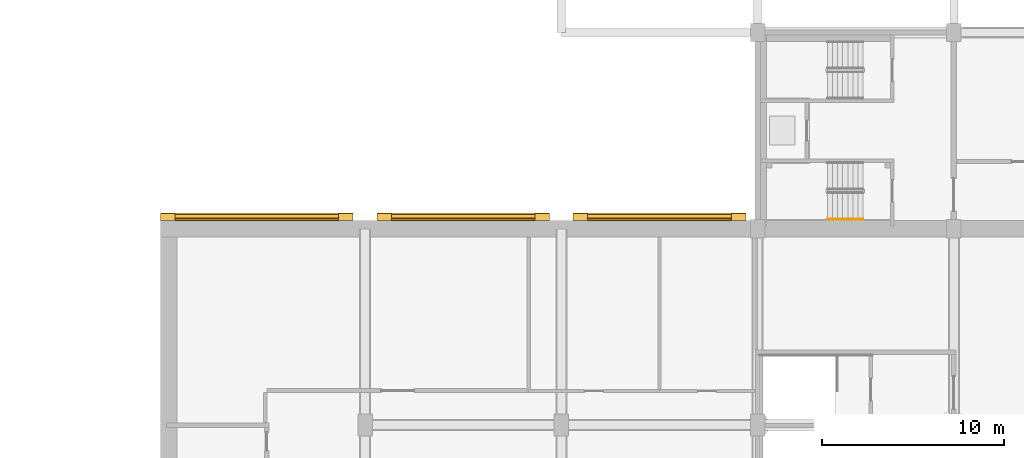
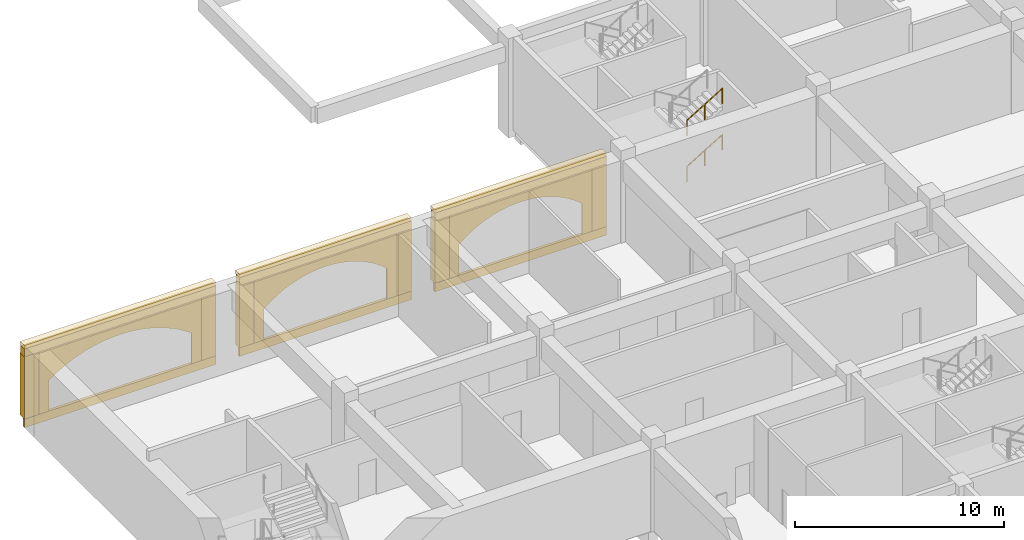
# One storey, part 88 of 101: 18 coverings, 2 railings.
"""IFC4 building model written with IfcOpenShell, lengths in metres."""

from ifc_helpers import new_model, si_unit, direction, frame, origin, origin_2d, place, context, subcontext, project, spatial, polyline, rectangle, circle, outline, extrude, material, layer, layer_set, type_object, element, save


model = new_model("IFC4")

# Units and contexts
model_context = context("Model", 3, precision=1e-05, world=origin(), true_north=direction((0.0, 1.0)))
body_context = subcontext(model_context, "Body", "Model", "MODEL_VIEW")
ifc_project = project(units=[si_unit("LENGTHUNIT", "METRE"), si_unit("AREAUNIT", "SQUARE_METRE"), si_unit("VOLUMEUNIT", "CUBIC_METRE"), si_unit("PLANEANGLEUNIT", "RADIAN"), si_unit("MASSUNIT", "GRAM", prefix="KILO")], contexts=[model_context])

# Site, building, storey
site_placement = place(None, origin())
site = spatial("IfcSite", under=ifc_project, at=site_placement, CompositionType="ELEMENT")
building_placement = place(site_placement, origin())
building = spatial("IfcBuilding", under=site, at=building_placement, Name="Magnolia Steps Interchange", CompositionType="ELEMENT")
storey_placement = place(building_placement, frame((0.0, 0.0, -5.39990234375)))
storey = spatial("IfcBuildingStorey", under=building, at=storey_placement, Name="B1", CompositionType="ELEMENT", Elevation=-5.39990234375)

# Coverings
ifc_material_1 = material(Name="Lime render")
ifc_layer_1 = layer(ifc_material_1, 0.080078125)
ifc_layer_set_1 = layer_set([ifc_layer_1], Name="Lime render arch infill")
covering_type_1 = type_object("IfcCoveringType", Name="Lime render arch infill", PredefinedType="CLADDING", material=ifc_layer_set_1)
covering_1_placement = place(storey_placement, frame((21.699951171875, 75.25, 0.5), z_axis=(0.0, -1.0, 0.0), x_axis=(0.0, 0.0, 1.0)))
element("IfcCovering", 1, at=covering_1_placement, inside=storey, type_object=covering_type_1, Name="Blind arch base wall west 1.1", PredefinedType="CLADDING", context=body_context, shape_type="SweptSolid", body=[
    extrude(outline(polyline([(0.0, 0.0), (1.799804688, 0.0), (2.09765625, -0.438964844), (2.347900391, -0.877929688), (2.556396484, -1.316650391), (2.727294922, -1.755615234), (2.864013672, -2.194335938), (2.968261719, -2.633300781), (3.041748047, -3.072265625), (3.085449219, -3.511230469), (3.099853516, -3.949951172), (3.085449219, -4.388916016), (3.041748047, -4.827880859), (2.968261719, -5.266845703), (2.864013672, -5.705566406), (2.727294922, -6.14453125), (2.556396484, -6.583251953), (2.347900391, -7.022216797), (2.09765625, -7.461181641), (1.799804688, -7.900146484), (0.0, -7.900146484), (0.0, -8.449951172), (3.649902344, -8.449951172), (3.649902344, 0.550048828), (0.0, 0.550048828), (0.0, 0.0)])), origin(), (0.0, 0.0, -1.0), 0.080078125),
])
covering_2_placement = place(storey_placement, frame((33.60009765625, 75.25, 0.5), z_axis=(0.0, -1.0, 0.0), x_axis=(0.0, 0.0, 1.0)))
element("IfcCovering", 2, at=covering_2_placement, inside=storey, type_object=covering_type_1, Name="Blind arch base wall west 2.1", PredefinedType="CLADDING", context=body_context, shape_type="SweptSolid", body=[
    extrude(outline(polyline([(0.0, 0.0), (1.807861328, 0.0), (2.112792969, -0.377685547), (2.364013672, -0.755615234), (2.570800781, -1.133300781), (2.738769531, -1.510986328), (2.871826172, -1.888916016), (2.972900391, -2.266601562), (3.043701172, -2.644287109), (3.0859375, -3.022216797), (3.099853516, -3.399902344), (3.0859375, -3.777587891), (3.043701172, -4.155517578), (2.972900391, -4.533203125), (2.871826172, -4.910888672), (2.738769531, -5.288818359), (2.570800781, -5.666503906), (2.364013672, -6.044189453), (2.112792969, -6.422119141), (1.807861328, -6.799804688), (0.0, -6.799804688), (0.0, -7.349853516), (3.649902344, -7.349853516), (3.649902344, 0.550048828), (0.0, 0.550048828), (0.0, 0.0)])), origin(), (0.0, 0.0, -1.0), 0.080078125),
])
covering_3_placement = place(storey_placement, frame((44.39990234375, 75.25, 0.5), z_axis=(0.0, -1.0, 0.0), x_axis=(0.0, 0.0, 1.0)))
element("IfcCovering", 3, at=covering_3_placement, inside=storey, type_object=covering_type_1, Name="Blind arch base wall west 3.1", PredefinedType="CLADDING", context=body_context, shape_type="SweptSolid", body=[
    extrude(outline(polyline([(0.0, 0.0), (1.807861328, 0.0), (2.112792969, -0.377929688), (2.364013672, -0.755615234), (2.570800781, -1.133300781), (2.738769531, -1.511230469), (2.871826172, -1.888916016), (2.972900391, -2.266845703), (3.043701172, -2.64453125), (3.0859375, -3.022216797), (3.099853516, -3.400146484), (3.0859375, -3.777832031), (3.043701172, -4.155761719), (2.972900391, -4.533447266), (2.871826172, -4.911132812), (2.738769531, -5.2890625), (2.570800781, -5.666748047), (2.364013672, -6.044433594), (2.112792969, -6.422363281), (1.807861328, -6.800048828), (0.0, -6.800048828), (0.0, -7.350097656), (3.649902344, -7.350097656), (3.649902344, 0.549804688), (0.0, 0.549804688), (0.0, 0.0)])), origin(), (0.0, 0.0, -1.0), 0.080078125),
])
ifc_material_2 = material(Name="Lime render")
ifc_layer_2 = layer(ifc_material_2, 0.1201171875)
ifc_layer_set_2 = layer_set([ifc_layer_2], Name="Lime render band")
covering_type_2 = type_object("IfcCoveringType", Name="Lime render band", PredefinedType="CLADDING", material=ifc_layer_set_2)
covering_4_placement = place(storey_placement, frame((25.64990234375, 75.324951171875, 0.0), z_axis=(0.0, 0.0, 1.0), x_axis=(1.0, 0.0, 0.0)))
element("IfcCovering", 4, at=covering_4_placement, inside=storey, type_object=covering_type_2, Name="Plinth course base wall west 1", PredefinedType="CLADDING", context=body_context, shape_type="SweptSolid", body=[
    extrude(rectangle(XDim=10.60009765625, YDim=0.14990234375, at=origin_2d()), origin(), (0.0, 0.0, 1.0), 0.5),
])
covering_5_placement = place(storey_placement, frame((25.64990234375, 75.425048828125, 4.14990234375), z_axis=(0.0, 0.0, 1.0), x_axis=(1.0, 0.0, 0.0)))
element("IfcCovering", 5, at=covering_5_placement, inside=storey, type_object=covering_type_2, Name="Cornice base wall west 1", PredefinedType="CLADDING", context=body_context, shape_type="SweptSolid", body=[
    extrude(rectangle(XDim=10.60009765625, YDim=0.35009765625, at=origin_2d()), origin(), (0.0, 0.0, 1.0), 0.449951171875),
])
covering_6_placement = place(storey_placement, frame((25.64990234375, 75.4599609375, 4.60009765625), z_axis=(0.0, 0.0, 1.0), x_axis=(1.0, 0.0, 0.0)))
element("IfcCovering", 6, at=covering_6_placement, inside=storey, type_object=covering_type_2, Name="Coping base wall west 1", PredefinedType="CLADDING", context=body_context, shape_type="SweptSolid", body=[
    extrude(rectangle(XDim=10.60009765625, YDim=0.419921875, at=origin_2d()), origin(), (0.0, 0.0, 1.0), 0.199951171875),
])
covering_7_placement = place(storey_placement, frame((37.0, 75.324951171875, 0.0), z_axis=(0.0, 0.0, 1.0), x_axis=(1.0, 0.0, 0.0)))
element("IfcCovering", 7, at=covering_7_placement, inside=storey, type_object=covering_type_2, Name="Plinth course base wall west 2", PredefinedType="CLADDING", context=body_context, shape_type="SweptSolid", body=[
    extrude(rectangle(XDim=9.5, YDim=0.14990234375, at=origin_2d()), origin(), (0.0, 0.0, 1.0), 0.5),
])
covering_8_placement = place(storey_placement, frame((37.0, 75.425048828125, 4.14990234375), z_axis=(0.0, 0.0, 1.0), x_axis=(1.0, 0.0, 0.0)))
element("IfcCovering", 8, at=covering_8_placement, inside=storey, type_object=covering_type_2, Name="Cornice base wall west 2", PredefinedType="CLADDING", context=body_context, shape_type="SweptSolid", body=[
    extrude(rectangle(XDim=9.5, YDim=0.35009765625, at=origin_2d()), origin(), (0.0, 0.0, 1.0), 0.449951171875),
])
covering_9_placement = place(storey_placement, frame((37.0, 75.4599609375, 4.60009765625), z_axis=(0.0, 0.0, 1.0), x_axis=(1.0, 0.0, 0.0)))
element("IfcCovering", 9, at=covering_9_placement, inside=storey, type_object=covering_type_2, Name="Coping base wall west 2", PredefinedType="CLADDING", context=body_context, shape_type="SweptSolid", body=[
    extrude(rectangle(XDim=9.5, YDim=0.419921875, at=origin_2d()), origin(), (0.0, 0.0, 1.0), 0.199951171875),
])
covering_10_placement = place(storey_placement, frame((47.800048828125, 75.324951171875, 0.0), z_axis=(0.0, 0.0, 1.0), x_axis=(1.0, 0.0, 0.0)))
element("IfcCovering", 10, at=covering_10_placement, inside=storey, type_object=covering_type_2, Name="Plinth course base wall west 3", PredefinedType="CLADDING", context=body_context, shape_type="SweptSolid", body=[
    extrude(rectangle(XDim=9.5, YDim=0.14990234375, at=origin_2d()), origin(), (0.0, 0.0, 1.0), 0.5),
])
covering_11_placement = place(storey_placement, frame((47.800048828125, 75.425048828125, 4.14990234375), z_axis=(0.0, 0.0, 1.0), x_axis=(1.0, 0.0, 0.0)))
element("IfcCovering", 11, at=covering_11_placement, inside=storey, type_object=covering_type_2, Name="Cornice base wall west 3", PredefinedType="CLADDING", context=body_context, shape_type="SweptSolid", body=[
    extrude(rectangle(XDim=9.5, YDim=0.35009765625, at=origin_2d()), origin(), (0.0, 0.0, 1.0), 0.449951171875),
])
covering_12_placement = place(storey_placement, frame((47.800048828125, 75.4599609375, 4.60009765625), z_axis=(0.0, 0.0, 1.0), x_axis=(1.0, 0.0, 0.0)))
element("IfcCovering", 12, at=covering_12_placement, inside=storey, type_object=covering_type_2, Name="Coping base wall west 3", PredefinedType="CLADDING", context=body_context, shape_type="SweptSolid", body=[
    extrude(rectangle(XDim=9.5, YDim=0.419921875, at=origin_2d()), origin(), (0.0, 0.0, 1.0), 0.199951171875),
])
ifc_material_3 = material(Name="Lime render")
ifc_layer_3 = layer(ifc_material_3, 0.39990234375)
ifc_layer_set_3 = layer_set([ifc_layer_3], Name="Lime render pilaster")
covering_type_3 = type_object("IfcCoveringType", Name="Lime render pilaster", PredefinedType="CLADDING", material=ifc_layer_set_3)
for number, where, z_axis, x_axis, name in (
    (13, (20.75, 75.449951171875, 0.5), (0.0, 0.0, 1.0), (1.0, 0.0, 0.0), "Pilaster base wall west 1.1"),
    (14, (30.550048828125, 75.449951171875, 0.5), (0.0, 0.0, 1.0), (1.0, 0.0, 0.0), "Pilaster base wall west 1.2"),
    (15, (32.64990234375, 75.449951171875, 0.5), (0.0, 0.0, 1.0), (1.0, 0.0, 0.0), "Pilaster base wall west 2.1"),
    (16, (41.35009765625, 75.449951171875, 0.5), (0.0, 0.0, 1.0), (1.0, 0.0, 0.0), "Pilaster base wall west 2.2"),
    (17, (43.449951171875, 75.449951171875, 0.5), (0.0, 0.0, 1.0), (1.0, 0.0, 0.0), "Pilaster base wall west 3.1"),
    (18, (52.14990234375, 75.449951171875, 0.5), (0.0, 0.0, 1.0), (1.0, 0.0, 0.0), "Pilaster base wall west 3.2"),
):
    element("IfcCovering", number, at=place(storey_placement, frame(where, z_axis=z_axis, x_axis=x_axis)), inside=storey, type_object=covering_type_3, Name=name, PredefinedType="CLADDING", context=body_context, shape_type="SweptSolid", body=[
        extrude(rectangle(XDim=0.800048828125, YDim=0.39990234375, at=origin_2d()), origin(), (0.0, 0.0, 1.0), 3.64990234375),
    ])

# Railings
ifc_material_4 = material(Name="Stainless steel grade 304", Category="steel")
railing_type = type_object("IfcRailingType", Name="Stair handrail 900", PredefinedType="HANDRAIL", material=ifc_material_4)
railing_1_placement = place(storey_placement, frame((57.0400390625, 75.323974609375, 1.5185546875)))
element("IfcRailing", 19, at=railing_1_placement, inside=storey, type_object=railing_type, Name="B1 ST1 stair handrail 2", PredefinedType="HANDRAIL", context=body_context, shape_type="SweptSolid", body=[
    extrude(circle(Radius=0.02392578125, at=origin_2d()), frame((0.0, 0.0, 0.8759765625), z_axis=(0.856446297458, 0.0, 0.516236127728), x_axis=(0.0, 1.0, 0.0)), (0.0, 0.0, 1.0), 2.28857421875),
    extrude(circle(Radius=0.02099609375, at=origin_2d()), origin(), (0.0, 0.0, 1.0), 0.851806640625),
    extrude(circle(Radius=0.02099609375, at=origin_2d()), frame((0.97998046875, 0.0, 0.5908203125)), (0.0, 0.0, 1.0), 0.851806640625),
    extrude(circle(Radius=0.02099609375, at=origin_2d()), frame((1.9599609375, 0.0, 1.181396484375)), (0.0, 0.0, 1.0), 0.851806640625),
])
railing_2_placement = place(storey_placement, frame((57.0400390625, 75.323974609375, 4.21875)))
element("IfcRailing", 20, at=railing_2_placement, inside=storey, type_object=railing_type, Name="B1 ST1 stair handrail 4", PredefinedType="HANDRAIL", context=body_context, shape_type="SweptSolid", body=[
    extrude(circle(Radius=0.02392578125, at=origin_2d()), frame((0.0, 0.0, 0.8759765625), z_axis=(0.856493463811, 0.0, 0.516157869696), x_axis=(0.0, 1.0, 0.0)), (0.0, 0.0, 1.0), 2.288330078125),
    extrude(circle(Radius=0.02099609375, at=origin_2d()), origin(), (0.0, 0.0, 1.0), 0.851806640625),
    extrude(circle(Radius=0.02099609375, at=origin_2d()), frame((0.97998046875, 0.0, 0.590576171875)), (0.0, 0.0, 1.0), 0.851806640625),
    extrude(circle(Radius=0.02099609375, at=origin_2d()), frame((1.9599609375, 0.0, 1.18115234375)), (0.0, 0.0, 1.0), 0.851806640625),
])

save(model, "model.ifc")
